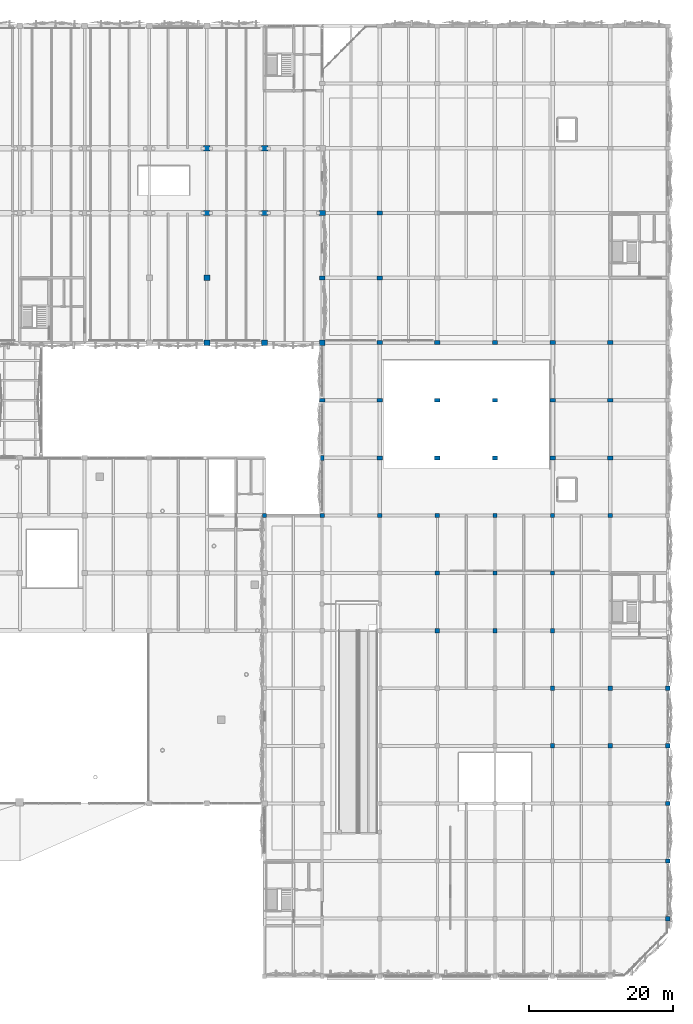
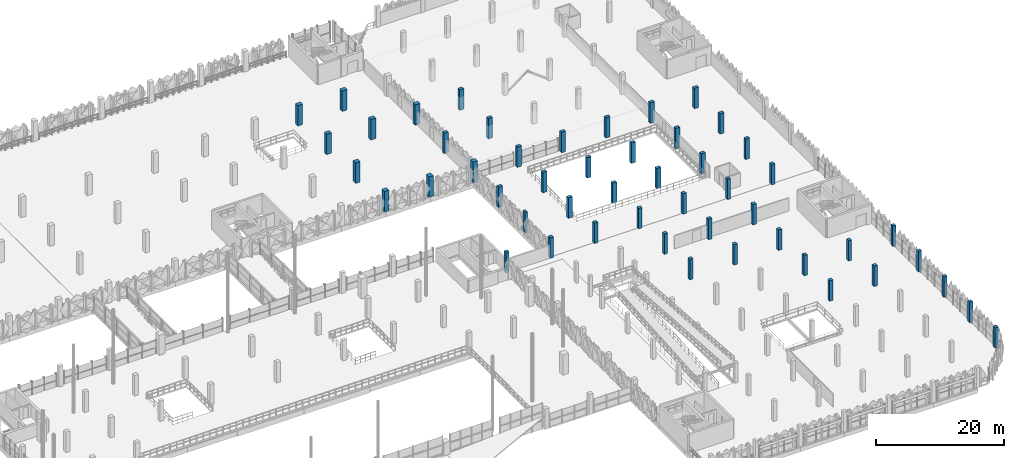
# One storey, part 14 of 123: 51 columns.
"""IFC4 building model written with IfcOpenShell, lengths in metres."""

from ifc_helpers import new_model, si_unit, derived_unit, direction, frame, origin, origin_2d, place, context, subcontext, project, spatial, rectangle, extrude, material, material_profile, profile_set, type_object, element, save


model = new_model("IFC4")

# Units and contexts
model_context = context("Model", 3, precision=1e-05, world=origin(), true_north=direction((0.0, 1.0)))
body_context = subcontext(model_context, "Body", "Model", "MODEL_VIEW")
ifc_project = project(units=[si_unit("LENGTHUNIT", "METRE"), si_unit("AREAUNIT", "SQUARE_METRE"), si_unit("VOLUMEUNIT", "CUBIC_METRE"), si_unit("PLANEANGLEUNIT", "RADIAN"), si_unit("MASSUNIT", "GRAM", prefix="KILO"), si_unit("THERMODYNAMICTEMPERATUREUNIT", "KELVIN"), derived_unit("THERMALTRANSMITTANCEUNIT", [(si_unit("POWERUNIT", "WATT"), 1), (si_unit("AREAUNIT", "SQUARE_METRE"), -1), (si_unit("THERMODYNAMICTEMPERATUREUNIT", "KELVIN"), -1)])], contexts=[model_context])

# Site, building, storey
site_placement = place(None, origin())
site = spatial("IfcSite", under=ifc_project, at=site_placement, CompositionType="ELEMENT")
building_placement = place(site_placement, origin())
building = spatial("IfcBuilding", under=site, at=building_placement, Name="Haiyu Intermodal Mobility Hub", CompositionType="ELEMENT")
storey_placement = place(building_placement, frame((0.0, 0.0, 5.60009765625)))
storey = spatial("IfcBuildingStorey", under=building, at=storey_placement, Name="L01", CompositionType="ELEMENT", Elevation=5.60009765625)

# Columns
ifc_material_1 = material(Name="Precast concrete C40", Category="concrete")
ifc_material_profile_1 = material_profile(ifc_material_1, rectangle(XDim=0.800048828125, YDim=0.800048828125, at=origin_2d()), Name="RC800x800")
ifc_profile_set_1 = profile_set([ifc_material_profile_1], Name="Precast concrete C40")
column_type_1 = type_object("IfcColumnType", Name="COL-CC02", PredefinedType="COLUMN", material=ifc_profile_set_1)
column_1_placement = place(storey_placement, frame((146.0, 113.0, 0.0), z_axis=(0.0, 0.0, 1.0), x_axis=(1.0, 0.0, 0.0)))
element("IfcColumn", 1, at=column_1_placement, inside=storey, type_object=column_type_1, Name="Column V3S-16N L01", PredefinedType="COLUMN", context=body_context, shape_type="SweptSolid", body=[
    extrude(rectangle(XDim=0.800048828125, YDim=0.800048828125, at=origin_2d()), origin(), (0.0, 0.0, 1.0), 3.89990234375),
])
ifc_material_profile_2 = material_profile(ifc_material_1, rectangle(XDim=0.800048828125, YDim=0.800048828125, at=origin_2d()), Name="RC800x800")
ifc_profile_set_2 = profile_set([ifc_material_profile_2], Name="Precast concrete C40")
column_type_2 = type_object("IfcColumnType", Name="COL-CC02-EXT", PredefinedType="COLUMN", material=ifc_profile_set_2)
for number, where, z_axis, x_axis, name in (
    (2, (146.0, 104.0, 0.0), (0.0, 0.0, 1.0), (1.0, 0.0, 0.0), "Column V4-16M L01"),
    (3, (154.0, 104.0, 0.0), (0.0, 0.0, 1.0), (1.0, 0.0, 0.0), "Column V4-17M L01"),
    (4, (162.0, 104.0, 0.0), (0.0, 0.0, 1.0), (1.0, 0.0, 0.0), "Column V4-18M L01"),
):
    element("IfcColumn", number, at=place(storey_placement, frame(where, z_axis=z_axis, x_axis=x_axis)), inside=storey, type_object=column_type_2, Name=name, PredefinedType="COLUMN", context=body_context, shape_type="SweptSolid", body=[
        extrude(rectangle(XDim=0.800048828125, YDim=0.800048828125, at=origin_2d()), origin(), (0.0, 0.0, 1.0), 3.89990234375),
    ])
ifc_material_profile_3 = material_profile(ifc_material_1, rectangle(XDim=0.89990234375, YDim=0.699951171875, at=origin_2d()), Name="RC900x700")
ifc_profile_set_3 = profile_set([ifc_material_profile_3], Name="Precast concrete C40")
column_type_3 = type_object("IfcColumnType", Name="COL-CC04", PredefinedType="COLUMN", material=ifc_profile_set_3)
for number, where, z_axis, x_axis, name in (
    (5, (146.0, 122.0, 0.0), (0.0, 0.0, 1.0), (1.0, 0.0, 0.0), "Column V4-16P L01"),
    (6, (146.0, 131.0, 0.0), (0.0, 0.0, 1.0), (1.0, 0.0, 0.0), "Column V4-16Q L01"),
    (7, (154.0, 122.0, 0.0), (0.0, 0.0, 1.0), (1.0, 0.0, 0.0), "Column V4-17P L01"),
    (8, (154.0, 131.0, 0.0), (0.0, 0.0, 1.0), (1.0, 0.0, 0.0), "Column V4-17Q L01"),
):
    element("IfcColumn", number, at=place(storey_placement, frame(where, z_axis=z_axis, x_axis=x_axis)), inside=storey, type_object=column_type_3, Name=name, PredefinedType="COLUMN", context=body_context, shape_type="SweptSolid", body=[
        extrude(rectangle(XDim=0.89990234375, YDim=0.699951171875, at=origin_2d()), origin(), (0.0, 0.0, 1.0), 3.89990234375),
    ])
ifc_material_profile_4 = material_profile(ifc_material_1, rectangle(XDim=0.89990234375, YDim=0.699951171875, at=origin_2d()), Name="RC900x700")
ifc_profile_set_4 = profile_set([ifc_material_profile_4], Name="Precast concrete C40")
column_type_4 = type_object("IfcColumnType", Name="COL-CC04-EXT", PredefinedType="COLUMN", material=ifc_profile_set_4)
column_2_placement = place(storey_placement, frame((162.0, 122.0, 0.0), z_axis=(0.0, 0.0, 1.0), x_axis=(1.0, 0.0, 0.0)))
element("IfcColumn", 9, at=column_2_placement, inside=storey, type_object=column_type_4, Name="Column V4-18P L01", PredefinedType="COLUMN", context=body_context, shape_type="SweptSolid", body=[
    extrude(rectangle(XDim=0.89990234375, YDim=0.699951171875, at=origin_2d()), origin(), (0.0, 0.0, 1.0), 3.89990234375),
])
ifc_material_2 = material(Name="Concrete C40", Category="concrete")
ifc_material_profile_5 = material_profile(ifc_material_2, rectangle(XDim=0.60009765625, YDim=0.60009765625, at=origin_2d()), Name="RC600x600")
ifc_profile_set_5 = profile_set([ifc_material_profile_5], Name="Concrete C40")
column_type_5 = type_object("IfcColumnType", Name="COL-CC10", PredefinedType="COLUMN", material=ifc_profile_set_5)
for number, where, z_axis, x_axis, name in (
    (10, (178.0, 64.0, 0.0), (0.0, 0.0, 1.0), (1.0, 0.0, 0.0), "Column V5-20G L01"),
    (11, (186.0, 64.0, 0.0), (0.0, 0.0, 1.0), (1.0, 0.0, 0.0), "Column V5-21G L01"),
    (12, (194.0, 48.0, 0.0), (0.0, 0.0, 1.0), (1.0, 0.0, 0.0), "Column V5-22E L01"),
    (13, (194.0, 56.0, 0.0), (0.0, 0.0, 1.0), (1.0, 0.0, 0.0), "Column V5-22F L01"),
    (14, (194.0, 64.0, 0.0), (0.0, 0.0, 1.0), (1.0, 0.0, 0.0), "Column V5-22G L01"),
    (15, (202.0, 48.0, 0.0), (0.0, 0.0, 1.0), (1.0, 0.0, 0.0), "Column V5-23E L01"),
    (16, (202.0, 56.0, 0.0), (0.0, 0.0, 1.0), (1.0, 0.0, 0.0), "Column V5-23F L01"),
):
    element("IfcColumn", number, at=place(storey_placement, frame(where, z_axis=z_axis, x_axis=x_axis)), inside=storey, type_object=column_type_5, Name=name, PredefinedType="COLUMN", context=body_context, shape_type="SweptSolid", body=[
        extrude(rectangle(XDim=0.60009765625, YDim=0.60009765625, at=origin_2d()), origin(), (0.0, 0.0, 1.0), 3.89990234375),
    ])
ifc_material_profile_6 = material_profile(ifc_material_2, rectangle(XDim=0.60009765625, YDim=0.60009765625, at=origin_2d()), Name="RC600x600")
ifc_profile_set_6 = profile_set([ifc_material_profile_6], Name="Concrete C40")
column_type_6 = type_object("IfcColumnType", Name="COL-CC10-EXT", PredefinedType="COLUMN", material=ifc_profile_set_6)
for number, where, z_axis, x_axis, name in (
    (17, (154.0, 80.0, 0.0), (0.0, 0.0, 1.0), (1.0, 0.0, 0.0), "Column V5-17J L01"),
    (18, (162.0, 80.0, 0.0), (0.0, 0.0, 1.0), (1.0, 0.0, 0.0), "Column V5-18J L01"),
    (19, (170.0, 80.0, 0.0), (0.0, 0.0, 1.0), (1.0, 0.0, 0.0), "Column V5-19J L01"),
    (20, (178.0, 72.0, 0.0), (0.0, 0.0, 1.0), (1.0, 0.0, 0.0), "Column V5-20H L01"),
    (21, (178.0, 80.0, 0.0), (0.0, 0.0, 1.0), (1.0, 0.0, 0.0), "Column V5-20J L01"),
    (22, (186.0, 72.0, 0.0), (0.0, 0.0, 1.0), (1.0, 0.0, 0.0), "Column V5-21H L01"),
    (23, (186.0, 80.0, 0.0), (0.0, 0.0, 1.0), (1.0, 0.0, 0.0), "Column V5-21J L01"),
    (24, (194.0, 72.0, 0.0), (0.0, 0.0, 1.0), (1.0, 0.0, 0.0), "Column V5-22H L01"),
    (25, (194.0, 80.0, 0.0), (0.0, 0.0, 1.0), (1.0, 0.0, 0.0), "Column V5-22J L01"),
    (26, (202.0, 80.0, 0.0), (0.0, 0.0, 1.0), (1.0, 0.0, 0.0), "Column V5-23J L01"),
    (27, (210.0, 24.0, 0.0), (0.0, 0.0, 1.0), (1.0, 0.0, 0.0), "Column V5-24B L01"),
    (28, (210.0, 32.0, 0.0), (0.0, 0.0, 1.0), (1.0, 0.0, 0.0), "Column V5-24C L01"),
    (29, (210.0, 40.0, 0.0), (0.0, 0.0, 1.0), (1.0, 0.0, 0.0), "Column V5-24D L01"),
    (30, (210.0, 48.0, 0.0), (0.0, 0.0, 1.0), (1.0, 0.0, 0.0), "Column V5-24E L01"),
    (31, (210.0, 56.0, 0.0), (0.0, 0.0, 1.0), (1.0, 0.0, 0.0), "Column V5-24F L01"),
):
    element("IfcColumn", number, at=place(storey_placement, frame(where, z_axis=z_axis, x_axis=x_axis)), inside=storey, type_object=column_type_6, Name=name, PredefinedType="COLUMN", context=body_context, shape_type="SweptSolid", body=[
        extrude(rectangle(XDim=0.60009765625, YDim=0.60009765625, at=origin_2d()), origin(), (0.0, 0.0, 1.0), 3.89990234375),
    ])
ifc_material_profile_7 = material_profile(ifc_material_2, rectangle(XDim=0.75, YDim=0.550048828125, at=origin_2d()), Name="C750x550")
ifc_profile_set_7 = profile_set([ifc_material_profile_7], Name="Concrete C40")
column_type_7 = type_object("IfcColumnType", Name="COL-CC15", PredefinedType="COLUMN", material=ifc_profile_set_7)
for number, where, z_axis, x_axis, name in (
    (32, (170.0, 88.0, 0.0), (0.0, 0.0, 1.0), (1.0, 0.0, 0.0), "Column V6-19K L01"),
    (33, (170.0, 96.0, 0.0), (0.0, 0.0, 1.0), (1.0, 0.0, 0.0), "Column V6-19L L01"),
    (34, (170.0, 104.0, 0.0), (0.0, 0.0, 1.0), (1.0, 0.0, 0.0), "Column V6-19M L01"),
    (35, (170.0, 113.0, 0.0), (0.0, 0.0, 1.0), (1.0, 0.0, 0.0), "Column V6-19N L01"),
    (36, (170.0, 122.0, 0.0), (0.0, 0.0, 1.0), (1.0, 0.0, 0.0), "Column V6-19P L01"),
    (37, (178.0, 88.0, 0.0), (0.0, 0.0, 1.0), (1.0, 0.0, 0.0), "Column V6-20K L01"),
    (38, (178.0, 96.0, 0.0), (0.0, 0.0, 1.0), (1.0, 0.0, 0.0), "Column V6-20L L01"),
    (39, (178.0, 104.0, 0.0), (0.0, 0.0, 1.0), (1.0, 0.0, 0.0), "Column V6-20M L01"),
    (40, (186.0, 88.0, 0.0), (0.0, 0.0, 1.0), (1.0, 0.0, 0.0), "Column V6-21K L01"),
    (41, (186.0, 96.0, 0.0), (0.0, 0.0, 1.0), (1.0, 0.0, 0.0), "Column V6-21L L01"),
    (42, (186.0, 104.0, 0.0), (0.0, 0.0, 1.0), (1.0, 0.0, 0.0), "Column V6-21M L01"),
    (43, (194.0, 88.0, 0.0), (0.0, 0.0, 1.0), (1.0, 0.0, 0.0), "Column V6-22K L01"),
    (44, (194.0, 96.0, 0.0), (0.0, 0.0, 1.0), (1.0, 0.0, 0.0), "Column V6-22L L01"),
    (45, (194.0, 104.0, 0.0), (0.0, 0.0, 1.0), (1.0, 0.0, 0.0), "Column V6-22M L01"),
    (46, (202.0, 88.0, 0.0), (0.0, 0.0, 1.0), (1.0, 0.0, 0.0), "Column V6-23K L01"),
    (47, (202.0, 96.0, 0.0), (0.0, 0.0, 1.0), (1.0, 0.0, 0.0), "Column V6-23L L01"),
    (48, (202.0, 104.0, 0.0), (0.0, 0.0, 1.0), (1.0, 0.0, 0.0), "Column V6-23M L01"),
):
    element("IfcColumn", number, at=place(storey_placement, frame(where, z_axis=z_axis, x_axis=x_axis)), inside=storey, type_object=column_type_7, Name=name, PredefinedType="COLUMN", context=body_context, shape_type="SweptSolid", body=[
        extrude(rectangle(XDim=0.75, YDim=0.550048828125, at=origin_2d()), origin(), (0.0, 0.0, 1.0), 3.89990234375),
    ])
ifc_material_profile_8 = material_profile(ifc_material_2, rectangle(XDim=0.75, YDim=0.550048828125, at=origin_2d()), Name="C750x550")
ifc_profile_set_8 = profile_set([ifc_material_profile_8], Name="Concrete C40")
column_type_8 = type_object("IfcColumnType", Name="COL-CC15-EXT", PredefinedType="COLUMN", material=ifc_profile_set_8)
for number, where, z_axis, x_axis, name in (
    (49, (162.0, 96.0, 0.0), (0.0, 0.0, 1.0), (1.0, 0.0, 0.0), "Column V6-18L L01"),
    (50, (162.0, 113.0, 0.0), (0.0, 0.0, 1.0), (1.0, 0.0, 0.0), "Column V6-18N L01"),
):
    element("IfcColumn", number, at=place(storey_placement, frame(where, z_axis=z_axis, x_axis=x_axis)), inside=storey, type_object=column_type_8, Name=name, PredefinedType="COLUMN", context=body_context, shape_type="SweptSolid", body=[
        extrude(rectangle(XDim=0.75, YDim=0.550048828125, at=origin_2d()), origin(), (0.0, 0.0, 1.0), 3.89990234375),
    ])
ifc_material_profile_9 = material_profile(ifc_material_1, rectangle(XDim=0.449951171875, YDim=0.699951171875, at=origin_2d()), Name="RC450x700")
ifc_profile_set_9 = profile_set([ifc_material_profile_9], Name="Precast concrete C40")
column_type_9 = type_object("IfcColumnType", Name="COL-PL12-EXT", PredefinedType="PILASTER", material=ifc_profile_set_9)
column_3_placement = place(storey_placement, frame((162.0, 88.0, 0.0), z_axis=(0.0, 0.0, 1.0), x_axis=(1.0, 0.0, 0.0)))
element("IfcColumn", 51, at=column_3_placement, inside=storey, type_object=column_type_9, Name="Column V6-18K L01", PredefinedType="PILASTER", context=body_context, shape_type="SweptSolid", body=[
    extrude(rectangle(XDim=0.449951171875, YDim=0.699951171875, at=origin_2d()), origin(), (0.0, 0.0, 1.0), 3.89990234375),
])

save(model, "model.ifc")
